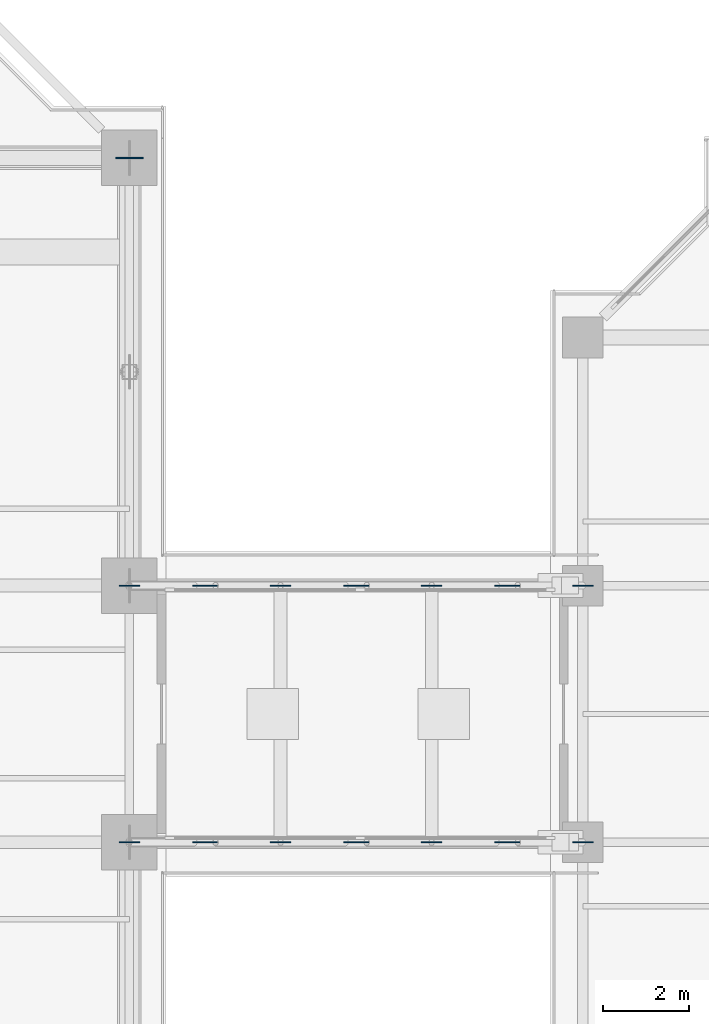
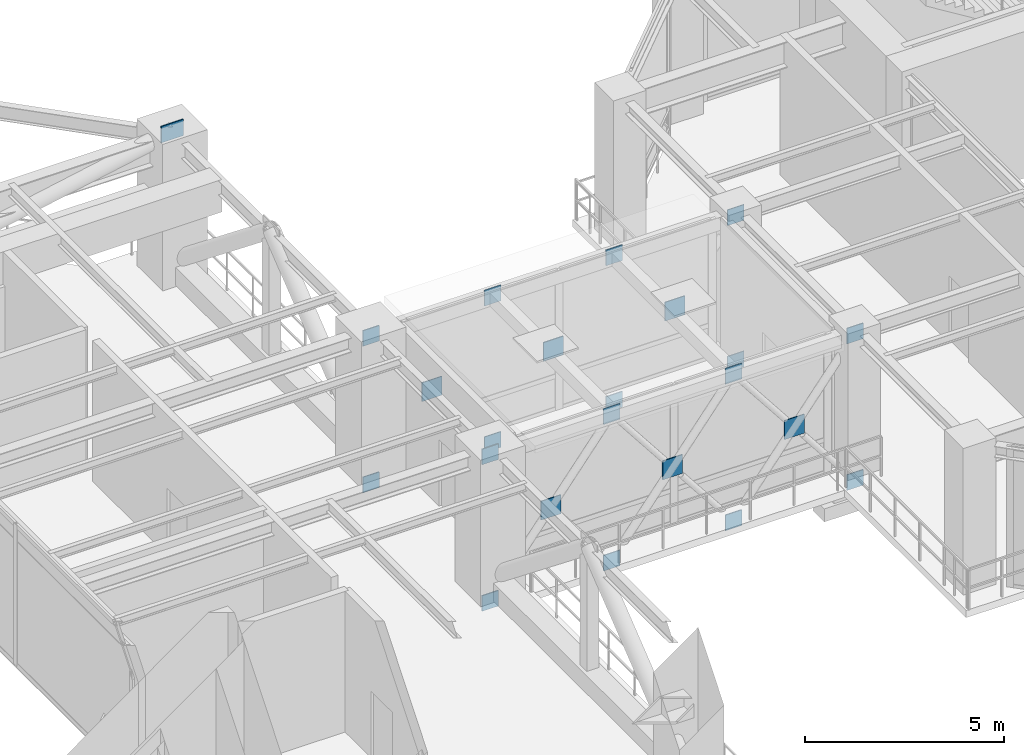
# One storey, part 16 of 26: 23 plates.
"""IFC4 building model written with IfcOpenShell, lengths in metres."""

import ifcopenshell
import ifcopenshell.guid

model = None  # the IFC model being written
_history = None  # IfcOwnerHistory: only IFC2X3 demands one
_inside = {}  # id of a spatial element -> (the spatial element, [elements in it])
_under = {}  # id of a project, library or spatial element -> (it, [spatial elements below it])
_declared = {}  # id of a project -> (the project, [libraries it declares])
_typed = {}  # id of a type object -> (the type object, [elements of that type])
_made_of = {}  # id of a material, layer set ... -> (it, [elements and type objects made of it])


def new_model(schema):
    """Start an empty IFC model of exactly this schema.

    Asked for "IFC4X3", IfcOpenShell would pick the latest addendum, in which some entities
    have other attributes; the version numbers below select the first issue.
    IFC2X3 requires an IfcOwnerHistory on every rooted entity: one is made here for all.
    """
    global model, _history
    if schema == "IFC4X3":
        model = ifcopenshell.file(schema_version=(4, 3, 0, 0))
    else:
        model = ifcopenshell.file(schema=schema)
    _inside.clear()
    _under.clear()
    _declared.clear()
    _typed.clear()
    _made_of.clear()
    _history = None
    if model.schema == "IFC2X3":
        org = make("IfcOrganization", Name="unknown")
        user = make(
            "IfcPersonAndOrganization",
            ThePerson=make("IfcPerson", FamilyName="unknown"),
            TheOrganization=org,
        )
        app = make(
            "IfcApplication",
            ApplicationDeveloper=org,
            Version="unknown",
            ApplicationFullName="unknown",
            ApplicationIdentifier="unknown",
        )
        _history = make(
            "IfcOwnerHistory",
            OwningUser=user,
            OwningApplication=app,
            ChangeAction="ADDED",
            CreationDate=0,
        )
    return model


def make(cls, **values):
    """One entity of the class cls with the attributes given. An attribute that is None is left unset."""
    return model.create_entity(
        cls, **{name: value for name, value in values.items() if value is not None}
    )


def rooted(cls, **values):
    """An entity with a GlobalId (a new one), such as an element, a storey or a relation."""
    return make(cls, GlobalId=ifcopenshell.guid.new(), OwnerHistory=_history, **values)


def si_unit(unit_type, name, prefix=None):
    """IfcSIUnit, for example si_unit("LENGTHUNIT", "METRE", prefix="MILLI")."""
    return make("IfcSIUnit", UnitType=unit_type, Prefix=prefix, Name=name)


def assignment(units):
    """IfcUnitAssignment: the units of a project."""
    return None if units is None else make("IfcUnitAssignment", Units=units)


def point(xyz):
    """IfcCartesianPoint."""
    return None if xyz is None else make("IfcCartesianPoint", Coordinates=xyz)


def direction(xyz):
    """IfcDirection."""
    return None if xyz is None else make("IfcDirection", DirectionRatios=xyz)


def frame(location, z_axis=None, x_axis=None):
    """IfcAxis2Placement3D, a coordinate frame: its origin and axes. An axis left out is left unset."""
    return make(
        "IfcAxis2Placement3D",
        Location=point(location),
        Axis=direction(z_axis),
        RefDirection=direction(x_axis),
    )


def frame_2d(location, x_axis=None):
    """IfcAxis2Placement2D, a coordinate frame in the plane: its origin and x axis."""
    return make(
        "IfcAxis2Placement2D", Location=point(location), RefDirection=direction(x_axis)
    )


def origin():
    """The frame at (0, 0, 0) with its axes left unset."""
    return frame((0.0, 0.0, 0.0))


def origin_2d():
    """The frame at (0, 0) in the plane with its x axis left unset."""
    return frame_2d((0.0, 0.0))


def place(relative_to, where):
    """IfcLocalPlacement: puts the frame where relative to a parent placement (None: the world)."""
    return make(
        "IfcLocalPlacement", PlacementRelTo=relative_to, RelativePlacement=where
    )


def context(
    kind, dimensions, precision=None, world=None, true_north=None, identifier=None
):
    """IfcGeometricRepresentationContext, for example the 3D "Model" context."""
    return make(
        "IfcGeometricRepresentationContext",
        ContextIdentifier=identifier,
        ContextType=kind,
        CoordinateSpaceDimension=dimensions,
        Precision=precision,
        WorldCoordinateSystem=world,
        TrueNorth=true_north,
    )


def subcontext(parent, identifier, kind, view, scale=None):
    """IfcGeometricRepresentationSubContext, for example "Body" below "Model"."""
    return make(
        "IfcGeometricRepresentationSubContext",
        ContextIdentifier=identifier,
        ContextType=kind,
        ParentContext=parent,
        TargetScale=scale,
        TargetView=view,
    )


def project(units=None, contexts=None):
    """IfcProject with its units and contexts."""
    return rooted(
        "IfcProject",
        Name="project",
        RepresentationContexts=contexts,
        UnitsInContext=assignment(units),
    )


def spatial(cls, under=None, at=None, **own):
    """A site, building, storey or space (cls), placed at a placement, below another one or the project."""
    s = rooted(cls, ObjectPlacement=at, **own)
    if under is not None:
        _under.setdefault(under.id(), (under, []))[1].append(s)
    return s


def profile(cls, at=None, kind="AREA", **sizes):
    """A parametric profile (cls). Its sizes go by their IFC names, for example OverallWidth=200.0."""
    return make(cls, ProfileType=kind, Position=at, **sizes)


def rectangle(**sizes):
    """IfcRectangleProfileDef."""
    return profile("IfcRectangleProfileDef", **sizes)


def extrude(swept, where, along, depth):
    """IfcExtrudedAreaSolid: the profile swept, set in the frame where, extruded along a direction by depth."""
    return make(
        "IfcExtrudedAreaSolid",
        SweptArea=swept,
        Position=where,
        ExtrudedDirection=direction(along),
        Depth=depth,
    )


def shape(context_of_items, identifier, shape_type, items):
    """IfcShapeRepresentation: the items that make up one representation, for example the "Body"."""
    return make(
        "IfcShapeRepresentation",
        ContextOfItems=context_of_items,
        RepresentationIdentifier=identifier,
        RepresentationType=shape_type,
        Items=items,
    )


def source(mapping_origin, context_of_items, identifier, shape_type, items):
    """IfcRepresentationMap: a shape defined once, which mapped items show again and again."""
    return make(
        "IfcRepresentationMap",
        MappingOrigin=mapping_origin,
        MappedRepresentation=shape(context_of_items, identifier, shape_type, items),
    )


def transform(
    local_origin,
    x_axis=None,
    y_axis=None,
    z_axis=None,
    scale=None,
    scale2=None,
    scale3=None,
    uniform=True,
):
    """IfcCartesianTransformationOperator3D, or its non-uniform kind. x_axis, y_axis, z_axis: its Axis1, 2, 3."""
    if uniform:
        return make(
            "IfcCartesianTransformationOperator3D",
            Axis1=direction(x_axis),
            Axis2=direction(y_axis),
            LocalOrigin=point(local_origin),
            Scale=scale,
            Axis3=direction(z_axis),
        )
    return make(
        "IfcCartesianTransformationOperator3DnonUniform",
        Axis1=direction(x_axis),
        Axis2=direction(y_axis),
        LocalOrigin=point(local_origin),
        Scale=scale,
        Axis3=direction(z_axis),
        Scale2=scale2,
        Scale3=scale3,
    )


def mapped(mapping_source, mapping_target):
    """IfcMappedItem: shows the shape of a source again, moved by a transform."""
    return make(
        "IfcMappedItem", MappingSource=mapping_source, MappingTarget=mapping_target
    )


def material(Name=None, Category=None):
    """IfcMaterial."""
    return make("IfcMaterial", Name=Name, Category=Category)


def layer(
    of_material, thickness, ventilated=None, Name=None, Category=None, Priority=None
):
    """IfcMaterialLayer: one layer of a wall or slab, of a material (None: an air gap)."""
    return make(
        "IfcMaterialLayer",
        Material=of_material,
        LayerThickness=thickness,
        IsVentilated=ventilated,
        Name=Name,
        Category=Category,
        Priority=Priority,
    )


def layer_set(layers, Name=None):
    """IfcMaterialLayerSet."""
    return make("IfcMaterialLayerSet", MaterialLayers=layers, LayerSetName=Name)


def made_of(thing, what):
    """Note that an element or type object is made of a material, layer set ...; save() writes the relation."""
    if what is not None:
        _made_of.setdefault(what.id(), (what, []))[1].append(thing)
    return thing


def type_object(cls, material=None, **own):
    """A type object (cls), such as IfcWallType, which elements share."""
    return made_of(rooted(cls, **own), material)


def element(
    cls,
    number,
    at=None,
    inside=None,
    cuts=None,
    type_object=None,
    material=None,
    context=None,
    identifier="Body",
    shape_type=None,
    held_by="IfcProductDefinitionShape",
    body=None,
    shapes=None,
    **own,
):
    """One element of the class cls, such as IfcWall. Its Tag is "e" and its number.

    at: its placement. inside: the storey or other place that contains it. cuts: it is an
    opening in that element (IfcRelVoidsElement). A single representation is given by context,
    identifier, shape_type and body (its items); several are given by shapes. held_by: the class
    of the entity that holds the representations. save() writes the other relations.
    """
    e = rooted(cls, Tag="e%d" % number, ObjectPlacement=at, **own)
    if body is not None:
        shapes = [shape(context, identifier, shape_type, body)]
    if shapes is not None:
        e.Representation = make(held_by, Representations=shapes)
    if inside is not None:
        _inside.setdefault(inside.id(), (inside, []))[1].append(e)
    if cuts is not None:
        rooted(
            "IfcRelVoidsElement", RelatingBuildingElement=cuts, RelatedOpeningElement=e
        )
    if type_object is not None:
        _typed.setdefault(type_object.id(), (type_object, []))[1].append(e)
    return made_of(e, material)


def aggregate(whole, parts):
    """IfcRelAggregates: a whole, such as a stair, and the parts it consists of."""
    return rooted("IfcRelAggregates", RelatingObject=whole, RelatedObjects=parts)


def save(model, path):
    """Write the relations noted so far, then the file.

    IfcRelAggregates (storeys below a building ...), IfcRelContainedInSpatialStructure (elements
    in a storey), IfcRelDefinesByType, IfcRelAssociatesMaterial and IfcRelDeclares: one each for
    every whole, place, type object, material and project.
    """
    for whole, parts in _under.values():
        aggregate(whole, parts)
    for where, things in _inside.values():
        rooted(
            "IfcRelContainedInSpatialStructure",
            RelatedElements=things,
            RelatingStructure=where,
        )
    for kind, things in _typed.values():
        rooted("IfcRelDefinesByType", RelatedObjects=things, RelatingType=kind)
    for what, things in _made_of.values():
        rooted("IfcRelAssociatesMaterial", RelatedObjects=things, RelatingMaterial=what)
    for by, libraries in _declared.values():
        rooted("IfcRelDeclares", RelatingContext=by, RelatedDefinitions=libraries)
    model.write(path)


model = new_model("IFC4")

# Units and contexts
model_context = context("Model", 3, precision=1e-05, world=origin(), true_north=direction((0.0, 1.0)))
body_context = subcontext(model_context, "Body", "Model", "MODEL_VIEW")
ifc_project = project(units=[si_unit("LENGTHUNIT", "METRE"), si_unit("AREAUNIT", "SQUARE_METRE"), si_unit("VOLUMEUNIT", "CUBIC_METRE"), si_unit("PLANEANGLEUNIT", "RADIAN"), si_unit("MASSUNIT", "GRAM", prefix="KILO"), si_unit("THERMODYNAMICTEMPERATUREUNIT", "KELVIN"), si_unit("POWERUNIT", "WATT")], contexts=[model_context])

# Site, building, storey
site_placement = place(None, origin())
site = spatial("IfcSite", under=ifc_project, at=site_placement, CompositionType="ELEMENT")
building_placement = place(site_placement, origin())
building = spatial("IfcBuilding", under=site, at=building_placement, Name="Qiaomeng Ring Towers", CompositionType="ELEMENT")
storey_placement = place(building_placement, frame((0.0, 0.0, 45.75)))
storey = spatial("IfcBuildingStorey", under=building, at=storey_placement, Name="L12", CompositionType="ELEMENT", Elevation=45.75)

# Plates
ifc_material = material(Name="Steel Q390GJC", Category="steel")
ifc_layer = layer(ifc_material, 0.031982421875, Name="Steel Q390GJC")
ifc_layer_set = layer_set([ifc_layer], Name="Steel Q390GJC")
plate_type = type_object("IfcPlateType", Name="STR-PL-GUSSET", PredefinedType="USERDEFINED", material=ifc_layer_set)
shared_shape_1 = source(origin(), body_context, "Body", "SweptSolid", [
    extrude(rectangle(XDim=0.64990234375, YDim=0.035888671875, at=origin_2d()), origin(), (0.0, 0.0, 1.0), 0.5),
])
plate_placement = place(storey_placement, frame((37.14990234375, 36.0, 4.050048828125), z_axis=(0.0, 0.0, 1.0), x_axis=(1.0, 0.0, 0.0)))
element("IfcPlate", 1, at=plate_placement, inside=storey, type_object=plate_type, Name="L12 Outrigger Column Node Gusset Plate E4", ObjectType="GUSSET PLATE", PredefinedType="USERDEFINED", context=body_context, shape_type="MappedRepresentation", body=[
    mapped(shared_shape_1, transform((0.0, 0.0, 0.0), x_axis=(1.0, 0.0, 0.0), y_axis=(0.0, 1.0, 0.0), z_axis=(0.0, 0.0, 1.0), scale=1.0)),
])
shared_shape_2 = source(origin(), body_context, "Body", "SweptSolid", [
    extrude(rectangle(XDim=0.580078125, YDim=0.028076171875, at=origin_2d()), origin(), (0.0, 0.0, 1.0), 0.580078125),
])
for number, where, z_axis, x_axis, name in (
    (2, (38.91650390625, 20.0, 1.530029296875), (0.0, 0.0, 1.0), (1.0, 0.0, 0.0), "Skybridge Bridge SB1 X-Brace Crossing Gusset Plate S-1"),
    (3, (42.449951171875, 20.0, 1.530029296875), (0.0, 0.0, 1.0), (1.0, 0.0, 0.0), "Skybridge Bridge SB1 X-Brace Crossing Gusset Plate S-2"),
    (4, (45.9833984375, 20.0, 1.530029296875), (0.0, 0.0, 1.0), (1.0, 0.0, 0.0), "Skybridge Bridge SB1 X-Brace Crossing Gusset Plate S-3"),
    (5, (38.91650390625, 26.0, 1.530029296875), (0.0, 0.0, 1.0), (1.0, 0.0, 0.0), "Skybridge Bridge SB1 X-Brace Crossing Gusset Plate N-1"),
    (6, (42.449951171875, 26.0, 1.530029296875), (0.0, 0.0, 1.0), (1.0, 0.0, 0.0), "Skybridge Bridge SB1 X-Brace Crossing Gusset Plate N-2"),
    (7, (45.9833984375, 26.0, 1.530029296875), (0.0, 0.0, 1.0), (1.0, 0.0, 0.0), "Skybridge Bridge SB1 X-Brace Crossing Gusset Plate N-3"),
):
    element("IfcPlate", number, at=place(storey_placement, frame(where, z_axis=z_axis, x_axis=x_axis)), inside=storey, type_object=plate_type, Name=name, ObjectType="GUSSET PLATE", PredefinedType="USERDEFINED", context=body_context, shape_type="MappedRepresentation", body=[
        mapped(shared_shape_2, transform((0.0, 0.0, 0.0), x_axis=(1.0, 0.0, 0.0), y_axis=(0.0, 1.0, 0.0), z_axis=(0.0, 0.0, 1.0), scale=1.0)),
    ])
shared_shape_3 = source(origin(), body_context, "Body", "SweptSolid", [
    extrude(rectangle(XDim=0.47998046875, YDim=0.028076171875, at=origin_2d()), origin(), (0.0, 0.0, 1.0), 0.47998046875),
])
for number, where, z_axis, x_axis, name in (
    (8, (37.14990234375, 20.0, -0.669921875), (0.0, 0.0, 1.0), (1.0, 0.0, 0.0), "Skybridge Bridge SB1 Chord Gusset S-1-BL"),
    (9, (40.68310546875, 20.0, -0.669921875), (0.0, 0.0, 1.0), (1.0, 0.0, 0.0), "Skybridge Bridge SB1 Chord Gusset S-1-BR"),
    (10, (37.14990234375, 20.0, 3.830078125), (0.0, 0.0, 1.0), (1.0, 0.0, 0.0), "Skybridge Bridge SB1 Chord Gusset S-1-TL"),
    (11, (40.68310546875, 20.0, 3.830078125), (0.0, 0.0, 1.0), (1.0, 0.0, 0.0), "Skybridge Bridge SB1 Chord Gusset S-1-TR"),
    (12, (44.217041015625, 20.0, -0.669921875), (0.0, 0.0, 1.0), (1.0, 0.0, 0.0), "Skybridge Bridge SB1 Chord Gusset S-2-BR"),
    (13, (44.217041015625, 20.0, 3.830078125), (0.0, 0.0, 1.0), (1.0, 0.0, 0.0), "Skybridge Bridge SB1 Chord Gusset S-2-TR"),
    (14, (47.75, 20.0, -0.669921875), (0.0, 0.0, 1.0), (1.0, 0.0, 0.0), "Skybridge Bridge SB1 Chord Gusset S-3-BR"),
    (15, (47.75, 20.0, 3.830078125), (0.0, 0.0, 1.0), (1.0, 0.0, 0.0), "Skybridge Bridge SB1 Chord Gusset S-3-TR"),
    (16, (37.14990234375, 26.0, -0.669921875), (0.0, 0.0, 1.0), (1.0, 0.0, 0.0), "Skybridge Bridge SB1 Chord Gusset N-1-BL"),
    (17, (40.68310546875, 26.0, -0.669921875), (0.0, 0.0, 1.0), (1.0, 0.0, 0.0), "Skybridge Bridge SB1 Chord Gusset N-1-BR"),
    (18, (37.14990234375, 26.0, 3.830078125), (0.0, 0.0, 1.0), (1.0, 0.0, 0.0), "Skybridge Bridge SB1 Chord Gusset N-1-TL"),
    (19, (40.68310546875, 26.0, 3.830078125), (0.0, 0.0, 1.0), (1.0, 0.0, 0.0), "Skybridge Bridge SB1 Chord Gusset N-1-TR"),
    (20, (44.217041015625, 26.0, -0.669921875), (0.0, 0.0, 1.0), (1.0, 0.0, 0.0), "Skybridge Bridge SB1 Chord Gusset N-2-BR"),
    (21, (44.217041015625, 26.0, 3.830078125), (0.0, 0.0, 1.0), (1.0, 0.0, 0.0), "Skybridge Bridge SB1 Chord Gusset N-2-TR"),
    (22, (47.75, 26.0, -0.669921875), (0.0, 0.0, 1.0), (1.0, 0.0, 0.0), "Skybridge Bridge SB1 Chord Gusset N-3-BR"),
    (23, (47.75, 26.0, 3.830078125), (0.0, 0.0, 1.0), (1.0, 0.0, 0.0), "Skybridge Bridge SB1 Chord Gusset N-3-TR"),
):
    element("IfcPlate", number, at=place(storey_placement, frame(where, z_axis=z_axis, x_axis=x_axis)), inside=storey, type_object=plate_type, Name=name, ObjectType="GUSSET PLATE", PredefinedType="USERDEFINED", context=body_context, shape_type="MappedRepresentation", body=[
        mapped(shared_shape_3, transform((0.0, 0.0, 0.0), x_axis=(1.0, 0.0, 0.0), y_axis=(0.0, 1.0, 0.0), z_axis=(0.0, 0.0, 1.0), scale=1.0)),
    ])

save(model, "model.ifc")
